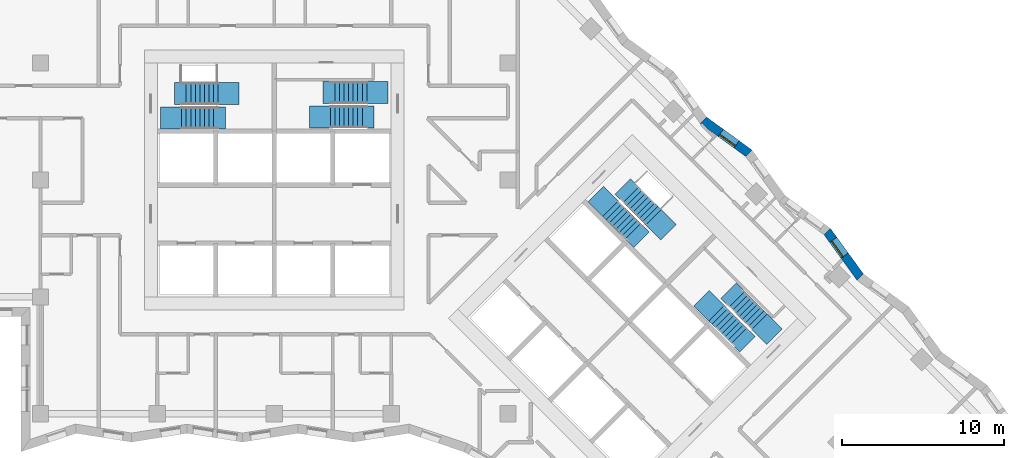
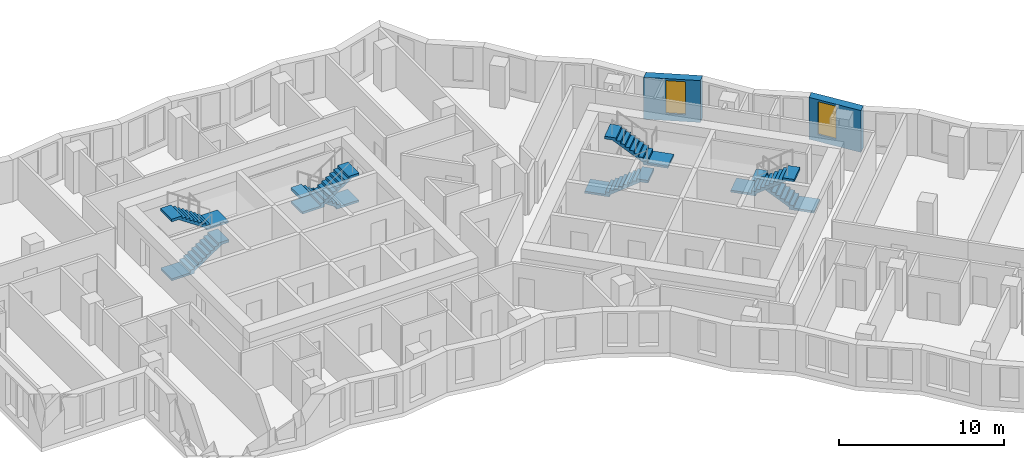
# One storey, part 11 of 13: 8 stair flights, 2 walls, 2 windows, 2 openings, 4 elements without a shape of their own.
"""IFC4 building model written with IfcOpenShell, lengths in metres."""

from ifc_helpers import new_model, si_unit, direction, frame, frame_2d, origin, place, context, subcontext, project, spatial, polyline, rectangle, outline, extrude, material, layer, layer_set, type_object, element, fill, aggregate, save


model = new_model("IFC4")

# Units and contexts
model_context = context("Model", 3, precision=1e-05, world=origin(), true_north=direction((0.0, 1.0)))
body_context = subcontext(model_context, "Body", "Model", "MODEL_VIEW")
ifc_project = project(units=[si_unit("LENGTHUNIT", "METRE"), si_unit("AREAUNIT", "SQUARE_METRE"), si_unit("VOLUMEUNIT", "CUBIC_METRE"), si_unit("PLANEANGLEUNIT", "RADIAN"), si_unit("MASSUNIT", "GRAM", prefix="KILO")], contexts=[model_context])

# Site, building, storey
site_placement = place(None, origin())
site = spatial("IfcSite", under=ifc_project, at=site_placement, CompositionType="ELEMENT")
building_placement = place(site_placement, origin())
building = spatial("IfcBuilding", under=site, at=building_placement, Name="Windrow Commons", CompositionType="ELEMENT")
storey_placement = place(building_placement, frame((0.0, 0.0, 108.4)))
storey = spatial("IfcBuildingStorey", under=building, at=storey_placement, Name="L29", CompositionType="ELEMENT", Elevation=108.4)

# Wall, opening, window
ifc_material_1 = material(Name="Brick masonry, red clay brick", Category="masonry")
ifc_layer = layer(ifc_material_1, 0.55)
ifc_layer_set = layer_set([ifc_layer], Name="Brick facade wall 550")
wall_type = type_object("IfcWallType", Name="Brick facade wall 550", PredefinedType="SOLIDWALL", material=ifc_layer_set)
wall_1_placement = place(storey_placement, frame((100.8805, 51.6228, 0.0), z_axis=(0.0, 0.0, 1.0), x_axis=(-0.5874228075, 0.8092802019, 0.0)))
wall_1 = element("IfcWall", 1, at=wall_1_placement, inside=storey, type_object=wall_type, Name="Brick facade wall L29 12", PredefinedType="SOLIDWALL", context=body_context, shape_type="SweptSolid", body=[
    extrude(outline(polyline([(0.0437, -0.275), (3.4986, -0.275), (3.4112, 0.275), (-0.0437, 0.275), (0.0437, -0.275)])), origin(), (0.0, 0.0, 1.0), 3.1),
])
opening_1_placement = place(wall_1_placement, frame((1.6311, 0.0, 0.5)))
opening_1 = element("IfcOpeningElement", 2, at=opening_1_placement, cuts=wall_1, Name="Opening W7D", PredefinedType="OPENING", context=body_context, shape_type="SweptSolid", body=[
    extrude(rectangle(XDim=1.2, YDim=2.45, at=frame_2d((0.6, 1.225))), frame((0.0, 0.285, 0.0), z_axis=(0.0, -1.0, 0.0), x_axis=(1.0, 0.0, 0.0)), (0.0, 0.0, 1.0), 0.57),
])
ifc_material_2 = material(Name="Clear float glass in anodised aluminium frame", Category="aluminium")
window_type = type_object("IfcWindowType", Name="Window W7 notch 1200x2450", PartitioningType="SINGLE_PANEL", PredefinedType="WINDOW", material=ifc_material_2)
window_1_placement = place(opening_1_placement, origin())
window_1 = element("IfcWindow", 3, at=window_1_placement, inside=storey, type_object=window_type, Name="Window L29 12.1", OverallHeight=2.45, OverallWidth=1.2, PartitioningType="SINGLE_PANEL", PredefinedType="WINDOW", context=body_context, shape_type="SweptSolid", body=[
    extrude(rectangle(XDim=1.2, YDim=2.45, at=frame_2d((0.6, 1.225))), frame((0.0, 0.155, 0.0), z_axis=(0.0, -1.0, 0.0), x_axis=(1.0, 0.0, 0.0)), (0.0, 0.0, 1.0), 0.06),
])
fill(opening_1, window_1)

wall_2_placement = place(storey_placement, frame((94.0255, 59.2443, 0.0), z_axis=(0.0, 0.0, 1.0), x_axis=(-0.8092802019, 0.5874228075, 0.0)))
wall_2 = element("IfcWall", 4, at=wall_2_placement, inside=storey, type_object=wall_type, Name="Brick facade wall L29 15", PredefinedType="SOLIDWALL", context=body_context, shape_type="SweptSolid", body=[
    extrude(outline(polyline([(-0.0437, -0.275), (3.4112, -0.275), (3.4986, 0.275), (0.0437, 0.275), (-0.0437, -0.275)])), origin(), (0.0, 0.0, 1.0), 3.1),
])
opening_2_placement = place(wall_2_placement, frame((0.9383, 0.0, 0.5)))
opening_2 = element("IfcOpeningElement", 5, at=opening_2_placement, cuts=wall_2, Name="Opening W7D", PredefinedType="OPENING", context=body_context, shape_type="SweptSolid", body=[
    extrude(rectangle(XDim=1.2, YDim=2.45, at=frame_2d((0.6, 1.225))), frame((0.0, 0.285, 0.0), z_axis=(0.0, -1.0, 0.0), x_axis=(1.0, 0.0, 0.0)), (0.0, 0.0, 1.0), 0.57),
])
window_2_placement = place(opening_2_placement, origin())
window_2 = element("IfcWindow", 6, at=window_2_placement, inside=storey, type_object=window_type, Name="Window L29 15.1", OverallHeight=2.45, OverallWidth=1.2, PartitioningType="SINGLE_PANEL", PredefinedType="WINDOW", context=body_context, shape_type="SweptSolid", body=[
    extrude(rectangle(XDim=1.2, YDim=2.45, at=frame_2d((0.6, 1.225))), frame((0.0, 0.155, 0.0), z_axis=(0.0, -1.0, 0.0), x_axis=(1.0, 0.0, 0.0)), (0.0, 0.0, 1.0), 0.06),
])
fill(opening_2, window_2)

# Stair, stair flights
ifc_material_3 = material(Name="Concrete C40/50", Category="concrete")
stair_type = type_object("IfcStairType", Name="Core stair", PredefinedType="HALF_TURN_STAIR", material=ifc_material_3)
placement = place(storey_placement, origin())
stair_1 = element("IfcStair", 7, at=placement, inside=storey, type_object=stair_type, Name="L29 Exit stair A1 core A", PredefinedType="HALF_TURN_STAIR")
ifc_material_4 = material(Name="Concrete C40/50", Category="concrete")
stair_flight_type = type_object("IfcStairFlightType", Name="Core stair flight", PredefinedType="STRAIGHT", material=ifc_material_4)
stair_flight_1_placement = place(storey_placement, frame((59.1, 61.425, 0.0), z_axis=(0.0, 0.0, 1.0), x_axis=(1.0, 0.0, 0.0)))
stair_flight_1 = element("IfcStairFlight", 8, at=stair_flight_1_placement, type_object=stair_flight_type, Name="ST-A1 flight 1", NumberOfRisers=9, NumberOfTreads=8, PredefinedType="STRAIGHT", RiserHeight=0.188888889, TreadLength=0.28, context=body_context, shape_type="SweptSolid", body=[
    extrude(outline(polyline([(-1.3, -0.15), (-1.3, 0.0), (0.0, 0.0), (0.0, 0.1889), (0.28, 0.1889), (0.28, 0.3778), (0.56, 0.3778), (0.56, 0.5667), (0.84, 0.5667), (0.84, 0.7556), (1.12, 0.7556), (1.12, 0.9444), (1.4, 0.9444), (1.4, 1.1333), (1.68, 1.1333), (1.68, 1.3222), (1.96, 1.3222), (1.96, 1.5111), (2.24, 1.5111), (2.69, 1.5111), (2.69, 1.3111), (2.24, 1.3111), (2.24, 1.3302), (0.2682, 0.0), (0.2682, -0.15), (-1.3, -0.15)])), frame((0.0, 0.675, 0.0), z_axis=(0.0, -1.0, 0.0), x_axis=(1.0, 0.0, 0.0)), (0.0, 0.0, 1.0), 1.35),
])
stair_flight_2_placement = place(storey_placement, frame((61.34, 62.925, 1.7), z_axis=(0.0, 0.0, 1.0), x_axis=(-1.0, 0.0, 0.0)))
stair_flight_2 = element("IfcStairFlight", 9, at=stair_flight_2_placement, type_object=stair_flight_type, Name="ST-A1 flight 2", NumberOfRisers=9, NumberOfTreads=8, PredefinedType="STRAIGHT", RiserHeight=0.188888889, TreadLength=0.28, context=body_context, shape_type="SweptSolid", body=[
    extrude(outline(polyline([(-1.3, -0.15), (-1.3, 0.0), (0.0, 0.0), (0.0, 0.1889), (0.28, 0.1889), (0.28, 0.3778), (0.56, 0.3778), (0.56, 0.5667), (0.84, 0.5667), (0.84, 0.7556), (1.12, 0.7556), (1.12, 0.9444), (1.4, 0.9444), (1.4, 1.1333), (1.68, 1.1333), (1.68, 1.3222), (1.96, 1.3222), (1.96, 1.5111), (2.24, 1.5111), (2.69, 1.5111), (2.69, 1.3111), (2.24, 1.3111), (2.24, 1.3302), (0.2682, 0.0), (0.2682, -0.15), (-1.3, -0.15)])), frame((0.0, 0.675, 0.0), z_axis=(0.0, -1.0, 0.0), x_axis=(1.0, 0.0, 0.0)), (0.0, 0.0, 1.0), 1.35),
])
aggregate(stair_1, [stair_flight_1, stair_flight_2])

stair_2 = element("IfcStair", 10, at=placement, inside=storey, type_object=stair_type, Name="L29 Exit stair A2 core A", PredefinedType="HALF_TURN_STAIR")
stair_flight_3_placement = place(storey_placement, frame((70.5, 62.98, 0.0), z_axis=(0.0, 0.0, 1.0), x_axis=(-1.0, 0.0, 0.0)))
stair_flight_3 = element("IfcStairFlight", 11, at=stair_flight_3_placement, type_object=stair_flight_type, Name="ST-A2 flight 1", NumberOfRisers=9, NumberOfTreads=8, PredefinedType="STRAIGHT", RiserHeight=0.188888889, TreadLength=0.28, context=body_context, shape_type="SweptSolid", body=[
    extrude(outline(polyline([(-1.3, -0.15), (-1.3, 0.0), (0.0, 0.0), (0.0, 0.1889), (0.28, 0.1889), (0.28, 0.3778), (0.56, 0.3778), (0.56, 0.5667), (0.84, 0.5667), (0.84, 0.7556), (1.12, 0.7556), (1.12, 0.9444), (1.4, 0.9444), (1.4, 1.1333), (1.68, 1.1333), (1.68, 1.3222), (1.96, 1.3222), (1.96, 1.5111), (2.24, 1.5111), (2.69, 1.5111), (2.69, 1.3111), (2.24, 1.3111), (2.24, 1.3302), (0.2682, 0.0), (0.2682, -0.15), (-1.3, -0.15)])), frame((0.0, 0.675, 0.0), z_axis=(0.0, -1.0, 0.0), x_axis=(1.0, 0.0, 0.0)), (0.0, 0.0, 1.0), 1.35),
])
stair_flight_4_placement = place(storey_placement, frame((68.26, 61.48, 1.7), z_axis=(0.0, 0.0, 1.0), x_axis=(1.0, 0.0, 0.0)))
stair_flight_4 = element("IfcStairFlight", 12, at=stair_flight_4_placement, type_object=stair_flight_type, Name="ST-A2 flight 2", NumberOfRisers=9, NumberOfTreads=8, PredefinedType="STRAIGHT", RiserHeight=0.188888889, TreadLength=0.28, context=body_context, shape_type="SweptSolid", body=[
    extrude(outline(polyline([(-1.3, -0.15), (-1.3, 0.0), (0.0, 0.0), (0.0, 0.1889), (0.28, 0.1889), (0.28, 0.3778), (0.56, 0.3778), (0.56, 0.5667), (0.84, 0.5667), (0.84, 0.7556), (1.12, 0.7556), (1.12, 0.9444), (1.4, 0.9444), (1.4, 1.1333), (1.68, 1.1333), (1.68, 1.3222), (1.96, 1.3222), (1.96, 1.5111), (2.24, 1.5111), (2.69, 1.5111), (2.69, 1.3111), (2.24, 1.3111), (2.24, 1.3302), (0.2682, 0.0), (0.2682, -0.15), (-1.3, -0.15)])), frame((0.0, 0.675, 0.0), z_axis=(0.0, -1.0, 0.0), x_axis=(1.0, 0.0, 0.0)), (0.0, 0.0, 1.0), 1.35),
])
aggregate(stair_2, [stair_flight_3, stair_flight_4])

stair_3 = element("IfcStair", 13, at=placement, inside=storey, type_object=stair_type, Name="L29 Exit stair B1 core B", PredefinedType="HALF_TURN_STAIR")
stair_flight_5_placement = place(storey_placement, frame((85.5109, 55.8249, 0.0), z_axis=(0.0, 0.0, 1.0), x_axis=(0.7071067812, -0.7071067812, 0.0)))
stair_flight_5 = element("IfcStairFlight", 14, at=stair_flight_5_placement, type_object=stair_flight_type, Name="ST-B1 flight 1", NumberOfRisers=9, NumberOfTreads=8, PredefinedType="STRAIGHT", RiserHeight=0.188888889, TreadLength=0.28, context=body_context, shape_type="SweptSolid", body=[
    extrude(outline(polyline([(-1.3, -0.15), (-1.3, 0.0), (0.0, 0.0), (0.0, 0.1889), (0.28, 0.1889), (0.28, 0.3778), (0.56, 0.3778), (0.56, 0.5667), (0.84, 0.5667), (0.84, 0.7556), (1.12, 0.7556), (1.12, 0.9444), (1.4, 0.9444), (1.4, 1.1333), (1.68, 1.1333), (1.68, 1.3222), (1.96, 1.3222), (1.96, 1.5111), (2.24, 1.5111), (2.69, 1.5111), (2.69, 1.3111), (2.24, 1.3111), (2.24, 1.3302), (0.2682, 0.0), (0.2682, -0.15), (-1.3, -0.15)])), frame((0.0, 0.675, 0.0), z_axis=(0.0, -1.0, 0.0), x_axis=(1.0, 0.0, 0.0)), (0.0, 0.0, 1.0), 1.35),
])
stair_flight_6_placement = place(storey_placement, frame((88.1555, 55.3017, 1.7), z_axis=(0.0, 0.0, 1.0), x_axis=(-0.7071067812, 0.7071067812, 0.0)))
stair_flight_6 = element("IfcStairFlight", 15, at=stair_flight_6_placement, type_object=stair_flight_type, Name="ST-B1 flight 2", NumberOfRisers=9, NumberOfTreads=8, PredefinedType="STRAIGHT", RiserHeight=0.188888889, TreadLength=0.28, context=body_context, shape_type="SweptSolid", body=[
    extrude(outline(polyline([(-1.3, -0.15), (-1.3, 0.0), (0.0, 0.0), (0.0, 0.1889), (0.28, 0.1889), (0.28, 0.3778), (0.56, 0.3778), (0.56, 0.5667), (0.84, 0.5667), (0.84, 0.7556), (1.12, 0.7556), (1.12, 0.9444), (1.4, 0.9444), (1.4, 1.1333), (1.68, 1.1333), (1.68, 1.3222), (1.96, 1.3222), (1.96, 1.5111), (2.24, 1.5111), (2.69, 1.5111), (2.69, 1.3111), (2.24, 1.3111), (2.24, 1.3302), (0.2682, 0.0), (0.2682, -0.15), (-1.3, -0.15)])), frame((0.0, 0.675, 0.0), z_axis=(0.0, -1.0, 0.0), x_axis=(1.0, 0.0, 0.0)), (0.0, 0.0, 1.0), 1.35),
])
aggregate(stair_3, [stair_flight_5, stair_flight_6])

stair_4 = element("IfcStair", 16, at=placement, inside=storey, type_object=stair_type, Name="L29 Exit stair B2 core B", PredefinedType="HALF_TURN_STAIR")
stair_flight_7_placement = place(storey_placement, frame((94.6715, 48.8635, 0.0), z_axis=(0.0, 0.0, 1.0), x_axis=(-0.7071067812, 0.7071067812, 0.0)))
stair_flight_7 = element("IfcStairFlight", 17, at=stair_flight_7_placement, type_object=stair_flight_type, Name="ST-B2 flight 1", NumberOfRisers=9, NumberOfTreads=8, PredefinedType="STRAIGHT", RiserHeight=0.188888889, TreadLength=0.28, context=body_context, shape_type="SweptSolid", body=[
    extrude(outline(polyline([(-1.3, -0.15), (-1.3, 0.0), (0.0, 0.0), (0.0, 0.1889), (0.28, 0.1889), (0.28, 0.3778), (0.56, 0.3778), (0.56, 0.5667), (0.84, 0.5667), (0.84, 0.7556), (1.12, 0.7556), (1.12, 0.9444), (1.4, 0.9444), (1.4, 1.1333), (1.68, 1.1333), (1.68, 1.3222), (1.96, 1.3222), (1.96, 1.5111), (2.24, 1.5111), (2.69, 1.5111), (2.69, 1.3111), (2.24, 1.3111), (2.24, 1.3302), (0.2682, 0.0), (0.2682, -0.15), (-1.3, -0.15)])), frame((0.0, 0.675, 0.0), z_axis=(0.0, -1.0, 0.0), x_axis=(1.0, 0.0, 0.0)), (0.0, 0.0, 1.0), 1.35),
])
stair_flight_8_placement = place(storey_placement, frame((92.0269, 49.3867, 1.7), z_axis=(0.0, 0.0, 1.0), x_axis=(0.7071067812, -0.7071067812, 0.0)))
stair_flight_8 = element("IfcStairFlight", 18, at=stair_flight_8_placement, type_object=stair_flight_type, Name="ST-B2 flight 2", NumberOfRisers=9, NumberOfTreads=8, PredefinedType="STRAIGHT", RiserHeight=0.188888889, TreadLength=0.28, context=body_context, shape_type="SweptSolid", body=[
    extrude(outline(polyline([(-1.3, -0.15), (-1.3, 0.0), (0.0, 0.0), (0.0, 0.1889), (0.28, 0.1889), (0.28, 0.3778), (0.56, 0.3778), (0.56, 0.5667), (0.84, 0.5667), (0.84, 0.7556), (1.12, 0.7556), (1.12, 0.9444), (1.4, 0.9444), (1.4, 1.1333), (1.68, 1.1333), (1.68, 1.3222), (1.96, 1.3222), (1.96, 1.5111), (2.24, 1.5111), (2.69, 1.5111), (2.69, 1.3111), (2.24, 1.3111), (2.24, 1.3302), (0.2682, 0.0), (0.2682, -0.15), (-1.3, -0.15)])), frame((0.0, 0.675, 0.0), z_axis=(0.0, -1.0, 0.0), x_axis=(1.0, 0.0, 0.0)), (0.0, 0.0, 1.0), 1.35),
])
aggregate(stair_4, [stair_flight_7, stair_flight_8])

save(model, "model.ifc")
